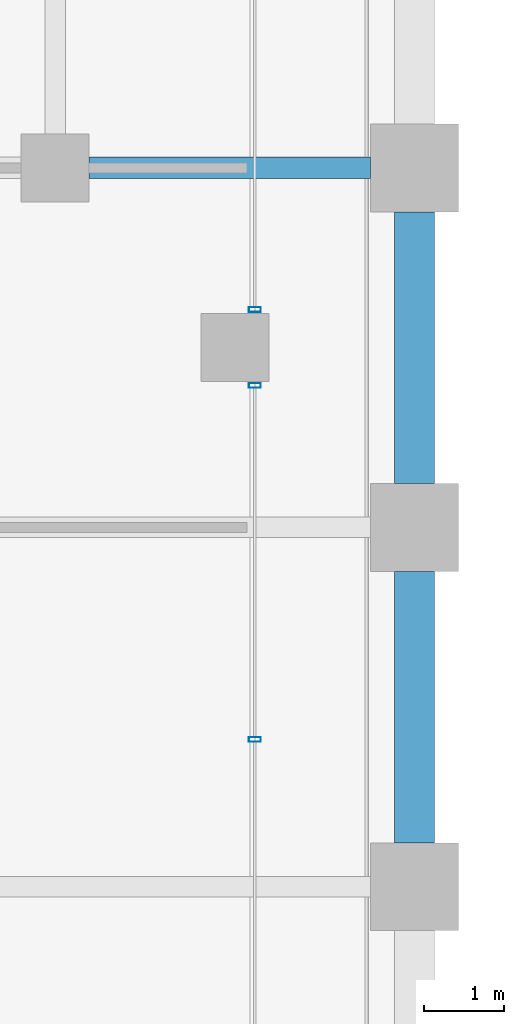
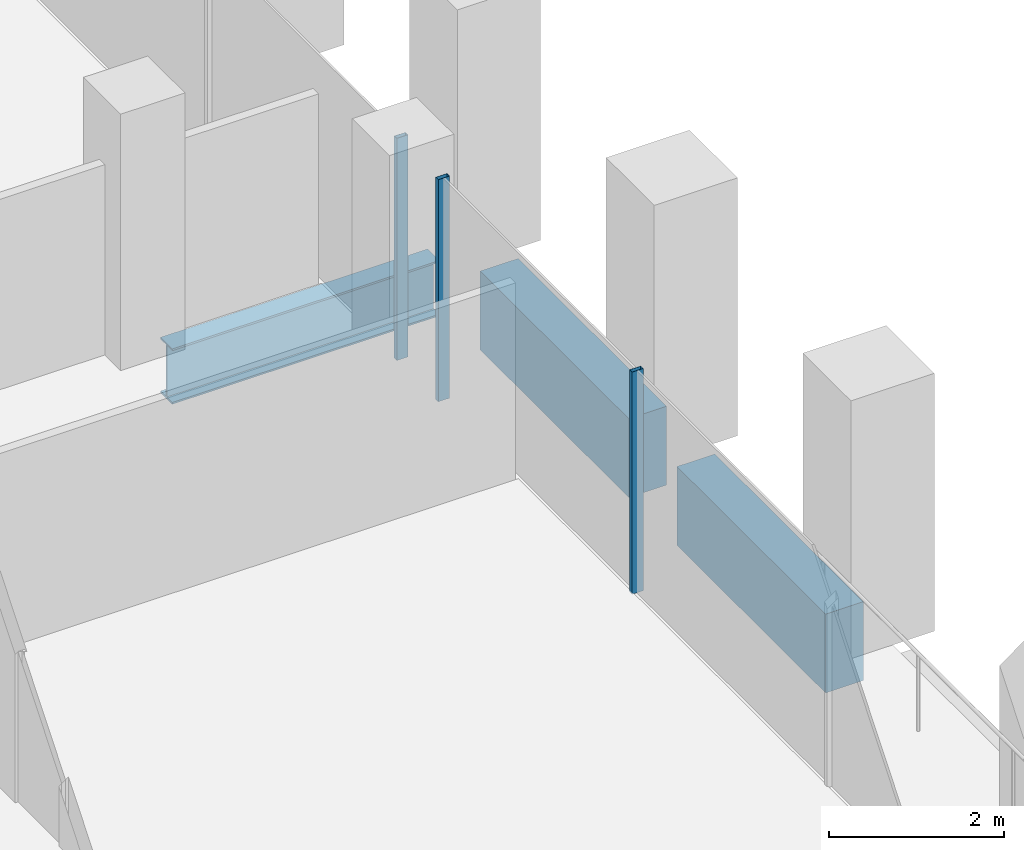
# One storey, part 22 of 56: 3 beams, 3 members, 2 elements without a shape of their own.
"""IFC4 building model written with IfcOpenShell, lengths in metres."""

from ifc_helpers import new_model, si_unit, direction, frame, origin, origin_2d, place, context, subcontext, project, spatial, rectangle, hollow_rectangle, i_section, extrude, material, material_profile, profile_set, type_object, element, aggregate, save


model = new_model("IFC4")

# Units and contexts
model_context = context("Model", 3, precision=1e-05, world=origin(), true_north=direction((0.0, 1.0)))
body_context = subcontext(model_context, "Body", "Model", "MODEL_VIEW")
ifc_project = project(units=[si_unit("LENGTHUNIT", "METRE"), si_unit("AREAUNIT", "SQUARE_METRE"), si_unit("VOLUMEUNIT", "CUBIC_METRE"), si_unit("PLANEANGLEUNIT", "RADIAN"), si_unit("MASSUNIT", "GRAM", prefix="KILO")], contexts=[model_context])

# Site, building, storey
site_placement = place(None, origin())
site = spatial("IfcSite", under=ifc_project, at=site_placement, CompositionType="ELEMENT")
building_placement = place(site_placement, origin())
building = spatial("IfcBuilding", under=site, at=building_placement, Name="Altepetl Exchange Towers", CompositionType="ELEMENT")
storey_placement = place(building_placement, frame((0.0, 0.0, 79.800048828125)))
storey = spatial("IfcBuildingStorey", under=building, at=storey_placement, Name="L19", CompositionType="ELEMENT", Elevation=79.800048828125)

# Beam
ifc_material_1 = material(Name="Steel S355", Category="steel")
ifc_material_profile_1 = material_profile(ifc_material_1, i_section(OverallWidth=0.26806640625, OverallDepth=0.77392578125, WebThickness=0.015380859375, FlangeThickness=0.025390625, at=origin_2d()), Name="W30X132")
ifc_profile_set_1 = profile_set([ifc_material_profile_1], Name="Steel S355")
beam_type_1 = type_object("IfcBeamType", Name="Girder W30X132", PredefinedType="BEAM", material=ifc_profile_set_1)
beam_placement = place(storey_placement, frame((67.925048828125, 58.5, -0.537109375), z_axis=(1.0, 0.0, 0.0), x_axis=(0.0, 1.0, 0.0)))
element("IfcBeam", 1, at=beam_placement, inside=storey, type_object=beam_type_1, Name="gd:A:L19:002", PredefinedType="BEAM", context=body_context, shape_type="SweptSolid", body=[
    extrude(i_section(OverallWidth=0.26806640625, OverallDepth=0.77392578125, WebThickness=0.015380859375, FlangeThickness=0.025390625, at=origin_2d()), origin(), (0.0, 0.0, 1.0), 3.52490234375),
])

# Curtain wall, members
ifc_material_2 = material(Name="Aluminium 6063-T6 glazing", Category="aluminium")
curtain_wall_type = type_object("IfcCurtainWallType", Name="Loggia glazing system", PredefinedType="NOTDEFINED", material=ifc_material_2)
curtain_wall_1_placement = place(storey_placement, origin())
curtain_wall_1 = element("IfcCurtainWall", 2, at=curtain_wall_1_placement, inside=storey, type_object=curtain_wall_type, Name="CW1 run", PredefinedType="NOTDEFINED")
ifc_material_3 = material(Name="Aluminium 6063-T6", Category="aluminium")
ifc_material_profile_2 = material_profile(ifc_material_3, hollow_rectangle(XDim=0.06005859375, YDim=0.14990234375, WallThickness=0.0029296875, at=origin_2d()), Name="Mullion 60x150 aluminium")
ifc_profile_set_2 = profile_set([ifc_material_profile_2], Name="Aluminium 6063-T6")
member_type = type_object("IfcMemberType", Name="Mullion 60x150 aluminium", PredefinedType="MULLION", material=ifc_profile_set_2)
member_1_placement = place(storey_placement, frame((70.0, 51.343994140625, 0.0), z_axis=(0.0, 0.0, 1.0), x_axis=(0.0, 1.0, 0.0)))
member_1 = element("IfcMember", 3, at=member_1_placement, type_object=member_type, Name="MU1 mullion", PredefinedType="MULLION", context=body_context, shape_type="SweptSolid", body=[
    extrude(hollow_rectangle(XDim=0.06005859375, YDim=0.14990234375, WallThickness=0.0029296875, at=origin_2d()), origin(), (0.0, 0.0, 1.0), 3.099853515625),
])
member_2_placement = place(storey_placement, frame((70.0, 55.77490234375, 0.0), z_axis=(0.0, 0.0, 1.0), x_axis=(0.0, 1.0, 0.0)))
member_2 = element("IfcMember", 4, at=member_2_placement, type_object=member_type, Name="MU1 mullion", PredefinedType="MULLION", context=body_context, shape_type="SweptSolid", body=[
    extrude(hollow_rectangle(XDim=0.06005859375, YDim=0.14990234375, WallThickness=0.0029296875, at=origin_2d()), origin(), (0.0, 0.0, 1.0), 3.099853515625),
])
aggregate(curtain_wall_1, [member_1, member_2])

# Curtain wall, member
curtain_wall_2_placement = place(storey_placement, origin())
curtain_wall_2 = element("IfcCurtainWall", 5, at=curtain_wall_2_placement, inside=storey, type_object=curtain_wall_type, Name="CW1 run", PredefinedType="NOTDEFINED")
member_3_placement = place(storey_placement, frame((70.0, 56.72509765625, 0.0), z_axis=(0.0, 0.0, 1.0), x_axis=(0.0, 1.0, 0.0)))
member_3 = element("IfcMember", 6, at=member_3_placement, type_object=member_type, Name="MU1 mullion", PredefinedType="MULLION", context=body_context, shape_type="SweptSolid", body=[
    extrude(hollow_rectangle(XDim=0.06005859375, YDim=0.14990234375, WallThickness=0.0029296875, at=origin_2d()), origin(), (0.0, 0.0, 1.0), 3.099853515625),
])
aggregate(curtain_wall_2, [member_3])

# Beams
ifc_material_4 = material(Name="Concrete C50/60 precast with cantera amarilla facing", Category="concrete")
ifc_material_profile_3 = material_profile(ifc_material_4, rectangle(XDim=0.5, YDim=1.10009765625, at=origin_2d()), Name="500 x 1100")
ifc_profile_set_3 = profile_set([ifc_material_profile_3], Name="Concrete C50/60 precast with cantera amarilla facing")
beam_type_2 = type_object("IfcBeamType", Name="Spandrel beam 500x1100 cantera amarilla", PredefinedType="SPANDREL", material=ifc_profile_set_3)
for number, where, z_axis, x_axis, name in (
    (7, (72.0, 50.050048828125, -0.699951171875), (0.0, 1.0, 0.0), (-1.0, 0.0, 0.0), "sp:A:L19:016"),
    (8, (72.0, 54.550048828125, -0.699951171875), (0.0, 1.0, 0.0), (-1.0, 0.0, 0.0), "sp:A:L19:017"),
):
    element("IfcBeam", number, at=place(storey_placement, frame(where, z_axis=z_axis, x_axis=x_axis)), inside=storey, type_object=beam_type_2, Name=name, PredefinedType="SPANDREL", context=body_context, shape_type="SweptSolid", body=[
        extrude(rectangle(XDim=0.5, YDim=1.10009765625, at=origin_2d()), origin(), (0.0, 0.0, 1.0), 3.39990234375),
    ])

save(model, "model.ifc")
